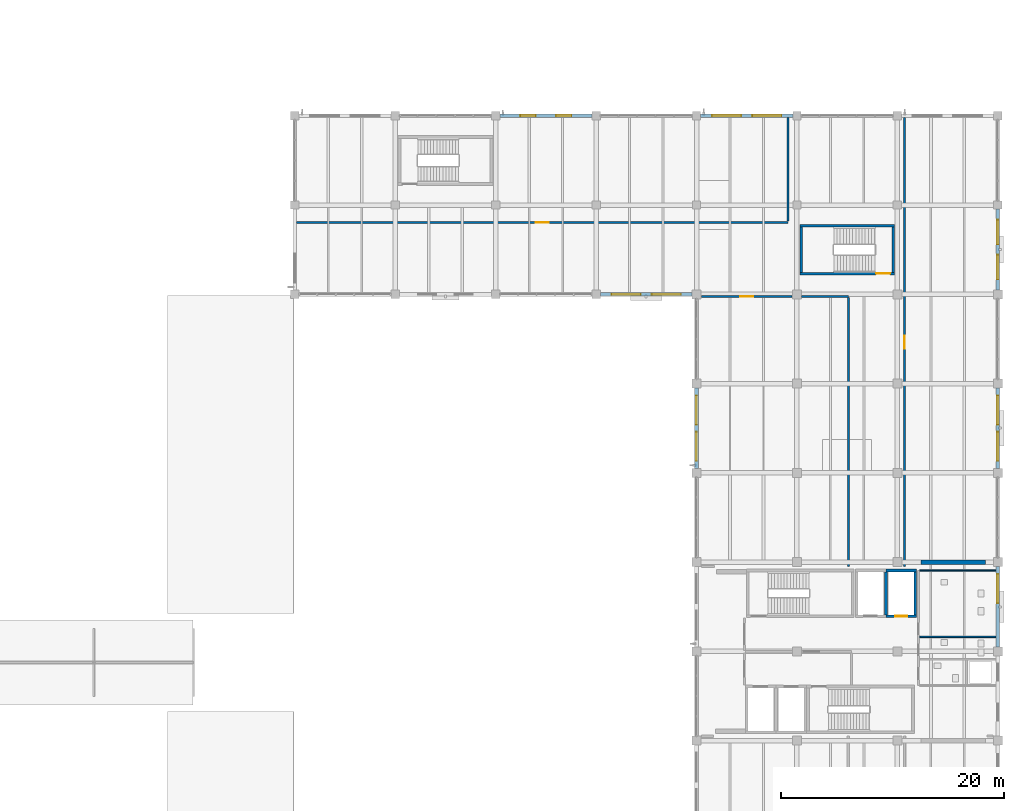
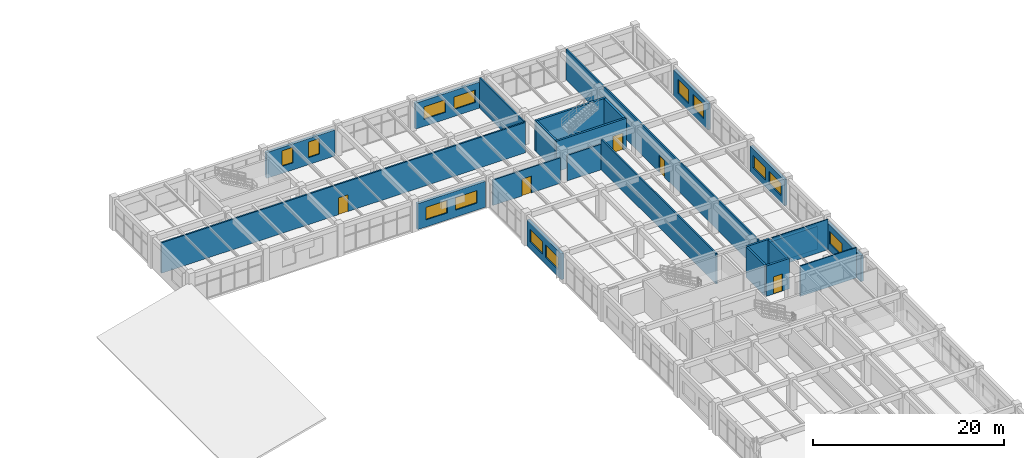
# One storey, part 130 of 148: 24 walls, 13 windows, 5 doors, 18 openings.
"""IFC4 building model written with IfcOpenShell, lengths in metres."""

from ifc_helpers import new_model, si_unit, derived_unit, direction, frame, frame_2d, origin, place, context, subcontext, project, spatial, rectangle, extrude, material, layer, layer_set, type_object, element, fill, save


model = new_model("IFC4")

# Units and contexts
model_context = context("Model", 3, precision=1e-05, world=origin(), true_north=direction((0.0, 1.0)))
body_context = subcontext(model_context, "Body", "Model", "MODEL_VIEW")
ifc_project = project(units=[si_unit("LENGTHUNIT", "METRE"), si_unit("AREAUNIT", "SQUARE_METRE"), si_unit("VOLUMEUNIT", "CUBIC_METRE"), si_unit("PLANEANGLEUNIT", "RADIAN"), si_unit("MASSUNIT", "GRAM", prefix="KILO"), derived_unit("THERMALTRANSMITTANCEUNIT", [(si_unit("MASSUNIT", "GRAM", prefix="KILO"), 1), (si_unit("TIMEUNIT", "SECOND"), -3), (si_unit("THERMODYNAMICTEMPERATUREUNIT", "KELVIN"), -1)])], contexts=[model_context])

# Site, building, storey
site_placement = place(None, origin())
site = spatial("IfcSite", under=ifc_project, at=site_placement, CompositionType="ELEMENT")
building_placement = place(site_placement, origin())
building = spatial("IfcBuilding", under=site, at=building_placement, Name="Zhenchuan Archway Interchange", CompositionType="ELEMENT")
storey_placement = place(building_placement, frame((0.0, 0.0, 10.199951171875)))
storey = spatial("IfcBuildingStorey", under=building, at=storey_placement, Name="L02", CompositionType="ELEMENT", Elevation=10.199951171875)

# Wall, openings, windows
ifc_material_1 = material(Name="Granite Stone Cladding", Category="masonry")
ifc_layer_1 = layer(ifc_material_1, 0.320068359375)
ifc_layer_set_1 = layer_set([ifc_layer_1], Name="Granite Stone Cladding")
wall_type_1 = type_object("IfcWallType", Name="EW_GRANITE_320", PredefinedType="STANDARD", material=ifc_layer_set_1)
wall_1_placement = place(storey_placement, frame((144.0, 72.39794921875, 0.0), z_axis=(0.0, 0.0, 1.0), x_axis=(0.0, 1.0, 0.0)))
wall_1 = element("IfcWall", 1, at=wall_1_placement, inside=storey, type_object=wall_type_1, Name="Exterior wall L02-071", PredefinedType="STANDARD", context=body_context, shape_type="SweptSolid", body=[
    extrude(rectangle(XDim=7.2041015625, YDim=0.320068359375, at=frame_2d((3.60205078125, 0.0))), origin(), (0.0, 0.0, 1.0), 3.320068359375),
])
opening_1_placement = place(wall_1_placement, frame((0.66796875, 0.0, 0.89990234375)))
opening_1 = element("IfcOpeningElement", 2, at=opening_1_placement, cuts=wall_1, Name="Opening W-09", PredefinedType="OPENING", context=body_context, shape_type="SweptSolid", body=[
    extrude(rectangle(XDim=2.60009765625, YDim=1.60009765625, at=frame_2d((1.300048828125, 0.800048828125))), frame((0.0, 0.171875, 0.0), z_axis=(0.0, -1.0, 0.0), x_axis=(1.0, 0.0, 0.0)), (0.0, 0.0, 1.0), 0.343994140625),
])
opening_2_placement = place(wall_1_placement, frame((3.93603515625, 0.0, 0.89990234375)))
opening_2 = element("IfcOpeningElement", 3, at=opening_2_placement, cuts=wall_1, Name="Opening W-09", PredefinedType="OPENING", context=body_context, shape_type="SweptSolid", body=[
    extrude(rectangle(XDim=2.60009765625, YDim=1.60009765625, at=frame_2d((1.300048828125, 0.800048828125))), frame((0.0, 0.171875, 0.0), z_axis=(0.0, -1.0, 0.0), x_axis=(1.0, 0.0, 0.0)), (0.0, 0.0, 1.0), 0.343994140625),
])
ifc_material_2 = material(Name="Double Low-E Insulated Glazing", Category="glass")
window_type_1 = type_object("IfcWindowType", Name="WN_MOD_2600x1600", PartitioningType="SINGLE_PANEL", PredefinedType="WINDOW", material=ifc_material_2)
window_1_placement = place(opening_1_placement, origin())
window_1 = element("IfcWindow", 4, at=window_1_placement, inside=storey, type_object=window_type_1, Name="Window L02-0218", OverallHeight=1.60009765625, OverallWidth=2.60009765625, PartitioningType="SINGLE_PANEL", PredefinedType="WINDOW", context=body_context, shape_type="SweptSolid", body=[
    extrude(rectangle(XDim=2.60009765625, YDim=1.60009765625, at=frame_2d((1.300048828125, 0.800048828125))), frame((0.0, 0.030029296875, 0.0), z_axis=(0.0, -1.0, 0.0), x_axis=(1.0, 0.0, 0.0)), (0.0, 0.0, 1.0), 0.06005859375),
])
fill(opening_1, window_1)
window_2_placement = place(opening_2_placement, origin())
window_2 = element("IfcWindow", 5, at=window_2_placement, inside=storey, type_object=window_type_1, Name="Window L02-0219", OverallHeight=1.60009765625, OverallWidth=2.60009765625, PartitioningType="SINGLE_PANEL", PredefinedType="WINDOW", context=body_context, shape_type="SweptSolid", body=[
    extrude(rectangle(XDim=2.60009765625, YDim=1.60009765625, at=frame_2d((1.300048828125, 0.800048828125))), frame((0.0, 0.030029296875, 0.0), z_axis=(0.0, -1.0, 0.0), x_axis=(1.0, 0.0, 0.0)), (0.0, 0.0, 1.0), 0.06005859375),
])
fill(opening_2, window_2)

wall_2_placement = place(storey_placement, frame((143.60205078125, 88.0, 0.0), z_axis=(0.0, 0.0, 1.0), x_axis=(-1.0, 0.0, 0.0)))
wall_2 = element("IfcWall", 6, at=wall_2_placement, inside=storey, type_object=wall_type_1, Name="Exterior wall L02-073", PredefinedType="STANDARD", context=body_context, shape_type="SweptSolid", body=[
    extrude(rectangle(XDim=8.22900390625, YDim=0.320068359375, at=frame_2d((4.114501953125, 0.0))), origin(), (0.0, 0.0, 1.0), 3.320068359375),
])
opening_3_placement = place(wall_2_placement, frame((1.009765625, 0.0, 0.89990234375)))
opening_3 = element("IfcOpeningElement", 7, at=opening_3_placement, cuts=wall_2, Name="Opening W-09", PredefinedType="OPENING", context=body_context, shape_type="SweptSolid", body=[
    extrude(rectangle(XDim=2.60009765625, YDim=1.60009765625, at=frame_2d((1.300048828125, 0.800048828125))), frame((0.0, 0.171875, 0.0), z_axis=(0.0, -1.0, 0.0), x_axis=(1.0, 0.0, 0.0)), (0.0, 0.0, 1.0), 0.343994140625),
])
opening_4_placement = place(wall_2_placement, frame((4.619384765625, 0.0, 0.89990234375)))
opening_4 = element("IfcOpeningElement", 8, at=opening_4_placement, cuts=wall_2, Name="Opening W-09", PredefinedType="OPENING", context=body_context, shape_type="SweptSolid", body=[
    extrude(rectangle(XDim=2.60009765625, YDim=1.60009765625, at=frame_2d((1.300048828125, 0.800048828125))), frame((0.0, 0.171875, 0.0), z_axis=(0.0, -1.0, 0.0), x_axis=(1.0, 0.0, 0.0)), (0.0, 0.0, 1.0), 0.343994140625),
])
window_3_placement = place(opening_3_placement, origin())
window_3 = element("IfcWindow", 9, at=window_3_placement, inside=storey, type_object=window_type_1, Name="Window L02-0220", OverallHeight=1.60009765625, OverallWidth=2.60009765625, PartitioningType="SINGLE_PANEL", PredefinedType="WINDOW", context=body_context, shape_type="SweptSolid", body=[
    extrude(rectangle(XDim=2.60009765625, YDim=1.60009765625, at=frame_2d((1.300048828125, 0.800048828125))), frame((0.0, 0.030029296875, 0.0), z_axis=(0.0, -1.0, 0.0), x_axis=(1.0, 0.0, 0.0)), (0.0, 0.0, 1.0), 0.06005859375),
])
fill(opening_3, window_3)
window_4_placement = place(opening_4_placement, origin())
window_4 = element("IfcWindow", 10, at=window_4_placement, inside=storey, type_object=window_type_1, Name="Window L02-0221", OverallHeight=1.60009765625, OverallWidth=2.60009765625, PartitioningType="SINGLE_PANEL", PredefinedType="WINDOW", context=body_context, shape_type="SweptSolid", body=[
    extrude(rectangle(XDim=2.60009765625, YDim=1.60009765625, at=frame_2d((1.300048828125, 0.800048828125))), frame((0.0, 0.030029296875, 0.0), z_axis=(0.0, -1.0, 0.0), x_axis=(1.0, 0.0, 0.0)), (0.0, 0.0, 1.0), 0.06005859375),
])
fill(opening_4, window_4)

wall_3_placement = place(storey_placement, frame((126.373046875, 104.0, 0.0), z_axis=(0.0, 0.0, 1.0), x_axis=(1.0, 0.0, 0.0)))
wall_3 = element("IfcWall", 11, at=wall_3_placement, inside=storey, type_object=wall_type_1, Name="Exterior wall L02-081", PredefinedType="STANDARD", context=body_context, shape_type="SweptSolid", body=[
    extrude(rectangle(XDim=8.25390625, YDim=0.320068359375, at=frame_2d((4.126953125, 0.0))), origin(), (0.0, 0.0, 1.0), 3.320068359375),
])
opening_5_placement = place(wall_3_placement, frame((1.851318359375, 0.0, 0.89990234375)))
opening_5 = element("IfcOpeningElement", 12, at=opening_5_placement, cuts=wall_3, Name="Opening W-06", PredefinedType="OPENING", context=body_context, shape_type="SweptSolid", body=[
    extrude(rectangle(XDim=1.35009765625, YDim=2.0, at=frame_2d((0.675048828125, 1.0))), frame((0.0, 0.171875, 0.0), z_axis=(0.0, -1.0, 0.0), x_axis=(1.0, 0.0, 0.0)), (0.0, 0.0, 1.0), 0.343994140625),
])
opening_6_placement = place(wall_3_placement, frame((5.052734375, 0.0, 0.89990234375)))
opening_6 = element("IfcOpeningElement", 13, at=opening_6_placement, cuts=wall_3, Name="Opening W-06", PredefinedType="OPENING", context=body_context, shape_type="SweptSolid", body=[
    extrude(rectangle(XDim=1.35009765625, YDim=2.0, at=frame_2d((0.675048828125, 1.0))), frame((0.0, 0.171875, 0.0), z_axis=(0.0, -1.0, 0.0), x_axis=(1.0, 0.0, 0.0)), (0.0, 0.0, 1.0), 0.343994140625),
])
window_type_2 = type_object("IfcWindowType", Name="WN_MOD_1350x2000", PartitioningType="SINGLE_PANEL", PredefinedType="WINDOW", material=ifc_material_2)
window_5_placement = place(opening_5_placement, origin())
window_5 = element("IfcWindow", 14, at=window_5_placement, inside=storey, type_object=window_type_2, Name="Window L02-0227", OverallHeight=2.0, OverallWidth=1.35009765625, PartitioningType="SINGLE_PANEL", PredefinedType="WINDOW", context=body_context, shape_type="SweptSolid", body=[
    extrude(rectangle(XDim=1.35009765625, YDim=2.0, at=frame_2d((0.675048828125, 1.0))), frame((0.0, 0.030029296875, 0.0), z_axis=(0.0, -1.0, 0.0), x_axis=(1.0, 0.0, 0.0)), (0.0, 0.0, 1.0), 0.06005859375),
])
fill(opening_5, window_5)
window_6_placement = place(opening_6_placement, origin())
window_6 = element("IfcWindow", 15, at=window_6_placement, inside=storey, type_object=window_type_2, Name="Window L02-0228", OverallHeight=2.0, OverallWidth=1.35009765625, PartitioningType="SINGLE_PANEL", PredefinedType="WINDOW", context=body_context, shape_type="SweptSolid", body=[
    extrude(rectangle(XDim=1.35009765625, YDim=2.0, at=frame_2d((0.675048828125, 1.0))), frame((0.0, 0.030029296875, 0.0), z_axis=(0.0, -1.0, 0.0), x_axis=(1.0, 0.0, 0.0)), (0.0, 0.0, 1.0), 0.06005859375),
])
fill(opening_6, window_6)

wall_4_placement = place(storey_placement, frame((144.373046875, 104.0, 0.0), z_axis=(0.0, 0.0, 1.0), x_axis=(1.0, 0.0, 0.0)))
wall_4 = element("IfcWall", 16, at=wall_4_placement, inside=storey, type_object=wall_type_1, Name="Exterior wall L02-083", PredefinedType="STANDARD", context=body_context, shape_type="SweptSolid", body=[
    extrude(rectangle(XDim=8.25390625, YDim=0.320068359375, at=frame_2d((4.126953125, 0.0))), origin(), (0.0, 0.0, 1.0), 3.320068359375),
])
opening_7_placement = place(wall_4_placement, frame((1.01806640625, 0.0, 0.89990234375)))
opening_7 = element("IfcOpeningElement", 17, at=opening_7_placement, cuts=wall_4, Name="Opening W-09", PredefinedType="OPENING", context=body_context, shape_type="SweptSolid", body=[
    extrude(rectangle(XDim=2.60009765625, YDim=1.60009765625, at=frame_2d((1.300048828125, 0.800048828125))), frame((0.0, 0.171875, 0.0), z_axis=(0.0, -1.0, 0.0), x_axis=(1.0, 0.0, 0.0)), (0.0, 0.0, 1.0), 0.343994140625),
])
opening_8_placement = place(wall_4_placement, frame((4.635986328125, 0.0, 0.89990234375)))
opening_8 = element("IfcOpeningElement", 18, at=opening_8_placement, cuts=wall_4, Name="Opening W-09", PredefinedType="OPENING", context=body_context, shape_type="SweptSolid", body=[
    extrude(rectangle(XDim=2.60009765625, YDim=1.60009765625, at=frame_2d((1.300048828125, 0.800048828125))), frame((0.0, 0.171875, 0.0), z_axis=(0.0, -1.0, 0.0), x_axis=(1.0, 0.0, 0.0)), (0.0, 0.0, 1.0), 0.343994140625),
])
window_7_placement = place(opening_7_placement, origin())
window_7 = element("IfcWindow", 19, at=window_7_placement, inside=storey, type_object=window_type_1, Name="Window L02-0229", OverallHeight=1.60009765625, OverallWidth=2.60009765625, PartitioningType="SINGLE_PANEL", PredefinedType="WINDOW", context=body_context, shape_type="SweptSolid", body=[
    extrude(rectangle(XDim=2.60009765625, YDim=1.60009765625, at=frame_2d((1.300048828125, 0.800048828125))), frame((0.0, 0.030029296875, 0.0), z_axis=(0.0, -1.0, 0.0), x_axis=(1.0, 0.0, 0.0)), (0.0, 0.0, 1.0), 0.06005859375),
])
fill(opening_7, window_7)
window_8_placement = place(opening_8_placement, origin())
window_8 = element("IfcWindow", 20, at=window_8_placement, inside=storey, type_object=window_type_1, Name="Window L02-0230", OverallHeight=1.60009765625, OverallWidth=2.60009765625, PartitioningType="SINGLE_PANEL", PredefinedType="WINDOW", context=body_context, shape_type="SweptSolid", body=[
    extrude(rectangle(XDim=2.60009765625, YDim=1.60009765625, at=frame_2d((1.300048828125, 0.800048828125))), frame((0.0, 0.030029296875, 0.0), z_axis=(0.0, -1.0, 0.0), x_axis=(1.0, 0.0, 0.0)), (0.0, 0.0, 1.0), 0.06005859375),
])
fill(opening_8, window_8)

wall_5_placement = place(storey_placement, frame((171.0, 95.626953125, 0.0), z_axis=(0.0, 0.0, 1.0), x_axis=(0.0, -1.0, 0.0)))
wall_5 = element("IfcWall", 21, at=wall_5_placement, inside=storey, type_object=wall_type_1, Name="Exterior wall L02-087", PredefinedType="STANDARD", context=body_context, shape_type="SweptSolid", body=[
    extrude(rectangle(XDim=7.22900390625, YDim=0.320068359375, at=frame_2d((3.614501953125, 0.0))), origin(), (0.0, 0.0, 1.0), 3.320068359375),
])
opening_9_placement = place(wall_5_placement, frame((0.943115234375, 0.0, 0.89990234375)))
opening_9 = element("IfcOpeningElement", 22, at=opening_9_placement, cuts=wall_5, Name="Opening W-08", PredefinedType="OPENING", context=body_context, shape_type="SweptSolid", body=[
    extrude(rectangle(XDim=2.199951171875, YDim=1.800048828125, at=frame_2d((1.10009765625, 0.89990234375))), frame((0.0, 0.171875, 0.0), z_axis=(0.0, -1.0, 0.0), x_axis=(1.0, 0.0, 0.0)), (0.0, 0.0, 1.0), 0.343994140625),
])
opening_10_placement = place(wall_5_placement, frame((4.0859375, 0.0, 0.89990234375)))
opening_10 = element("IfcOpeningElement", 23, at=opening_10_placement, cuts=wall_5, Name="Opening W-08", PredefinedType="OPENING", context=body_context, shape_type="SweptSolid", body=[
    extrude(rectangle(XDim=2.199951171875, YDim=1.800048828125, at=frame_2d((1.10009765625, 0.89990234375))), frame((0.0, 0.171875, 0.0), z_axis=(0.0, -1.0, 0.0), x_axis=(1.0, 0.0, 0.0)), (0.0, 0.0, 1.0), 0.343994140625),
])
window_type_3 = type_object("IfcWindowType", Name="WN_MOD_2200x1800", PartitioningType="SINGLE_PANEL", PredefinedType="WINDOW", material=ifc_material_2)
window_9_placement = place(opening_9_placement, origin())
window_9 = element("IfcWindow", 24, at=window_9_placement, inside=storey, type_object=window_type_3, Name="Window L02-0233", OverallHeight=1.800048828125, OverallWidth=2.199951171875, PartitioningType="SINGLE_PANEL", PredefinedType="WINDOW", context=body_context, shape_type="SweptSolid", body=[
    extrude(rectangle(XDim=2.199951171875, YDim=1.800048828125, at=frame_2d((1.10009765625, 0.89990234375))), frame((0.0, 0.030029296875, 0.0), z_axis=(0.0, -1.0, 0.0), x_axis=(1.0, 0.0, 0.0)), (0.0, 0.0, 1.0), 0.06005859375),
])
fill(opening_9, window_9)
window_10_placement = place(opening_10_placement, origin())
window_10 = element("IfcWindow", 25, at=window_10_placement, inside=storey, type_object=window_type_3, Name="Window L02-0234", OverallHeight=1.800048828125, OverallWidth=2.199951171875, PartitioningType="SINGLE_PANEL", PredefinedType="WINDOW", context=body_context, shape_type="SweptSolid", body=[
    extrude(rectangle(XDim=2.199951171875, YDim=1.800048828125, at=frame_2d((1.10009765625, 0.89990234375))), frame((0.0, 0.030029296875, 0.0), z_axis=(0.0, -1.0, 0.0), x_axis=(1.0, 0.0, 0.0)), (0.0, 0.0, 1.0), 0.06005859375),
])
fill(opening_10, window_10)

wall_6_placement = place(storey_placement, frame((171.0, 79.60205078125, 0.0), z_axis=(0.0, 0.0, 1.0), x_axis=(0.0, -1.0, 0.0)))
wall_6 = element("IfcWall", 26, at=wall_6_placement, inside=storey, type_object=wall_type_1, Name="Exterior wall L02-089", PredefinedType="STANDARD", context=body_context, shape_type="SweptSolid", body=[
    extrude(rectangle(XDim=7.2041015625, YDim=0.320068359375, at=frame_2d((3.60205078125, 0.0))), origin(), (0.0, 0.0, 1.0), 3.320068359375),
])
opening_11_placement = place(wall_6_placement, frame((0.66796875, 0.0, 0.89990234375)))
opening_11 = element("IfcOpeningElement", 27, at=opening_11_placement, cuts=wall_6, Name="Opening W-09", PredefinedType="OPENING", context=body_context, shape_type="SweptSolid", body=[
    extrude(rectangle(XDim=2.60009765625, YDim=1.60009765625, at=frame_2d((1.300048828125, 0.800048828125))), frame((0.0, 0.171875, 0.0), z_axis=(0.0, -1.0, 0.0), x_axis=(1.0, 0.0, 0.0)), (0.0, 0.0, 1.0), 0.343994140625),
])
opening_12_placement = place(wall_6_placement, frame((3.93603515625, 0.0, 0.89990234375)))
opening_12 = element("IfcOpeningElement", 28, at=opening_12_placement, cuts=wall_6, Name="Opening W-09", PredefinedType="OPENING", context=body_context, shape_type="SweptSolid", body=[
    extrude(rectangle(XDim=2.60009765625, YDim=1.60009765625, at=frame_2d((1.300048828125, 0.800048828125))), frame((0.0, 0.171875, 0.0), z_axis=(0.0, -1.0, 0.0), x_axis=(1.0, 0.0, 0.0)), (0.0, 0.0, 1.0), 0.343994140625),
])
window_11_placement = place(opening_11_placement, origin())
window_11 = element("IfcWindow", 29, at=window_11_placement, inside=storey, type_object=window_type_1, Name="Window L02-0235", OverallHeight=1.60009765625, OverallWidth=2.60009765625, PartitioningType="SINGLE_PANEL", PredefinedType="WINDOW", context=body_context, shape_type="SweptSolid", body=[
    extrude(rectangle(XDim=2.60009765625, YDim=1.60009765625, at=frame_2d((1.300048828125, 0.800048828125))), frame((0.0, 0.030029296875, 0.0), z_axis=(0.0, -1.0, 0.0), x_axis=(1.0, 0.0, 0.0)), (0.0, 0.0, 1.0), 0.06005859375),
])
fill(opening_11, window_11)
window_12_placement = place(opening_12_placement, origin())
window_12 = element("IfcWindow", 30, at=window_12_placement, inside=storey, type_object=window_type_1, Name="Window L02-0236", OverallHeight=1.60009765625, OverallWidth=2.60009765625, PartitioningType="SINGLE_PANEL", PredefinedType="WINDOW", context=body_context, shape_type="SweptSolid", body=[
    extrude(rectangle(XDim=2.60009765625, YDim=1.60009765625, at=frame_2d((1.300048828125, 0.800048828125))), frame((0.0, 0.030029296875, 0.0), z_axis=(0.0, -1.0, 0.0), x_axis=(1.0, 0.0, 0.0)), (0.0, 0.0, 1.0), 0.06005859375),
])
fill(opening_12, window_12)

# Wall, opening, window
wall_7_placement = place(storey_placement, frame((171.0, 63.60205078125, 0.0), z_axis=(0.0, 0.0, 1.0), x_axis=(0.0, -1.0, 0.0)))
wall_7 = element("IfcWall", 31, at=wall_7_placement, inside=storey, type_object=wall_type_1, Name="Exterior wall L02-091", PredefinedType="STANDARD", context=body_context, shape_type="SweptSolid", body=[
    extrude(rectangle(XDim=7.2041015625, YDim=0.320068359375, at=frame_2d((3.60205078125, 0.0))), origin(), (0.0, 0.0, 1.0), 3.320068359375),
])
opening_13_placement = place(wall_7_placement, frame((0.66796875, 0.0, 0.89990234375)))
opening_13 = element("IfcOpeningElement", 32, at=opening_13_placement, cuts=wall_7, Name="Opening W-09", PredefinedType="OPENING", context=body_context, shape_type="SweptSolid", body=[
    extrude(rectangle(XDim=2.60009765625, YDim=1.60009765625, at=frame_2d((1.300048828125, 0.800048828125))), frame((0.0, 0.171875, 0.0), z_axis=(0.0, -1.0, 0.0), x_axis=(1.0, 0.0, 0.0)), (0.0, 0.0, 1.0), 0.343994140625),
])
window_13_placement = place(opening_13_placement, origin())
window_13 = element("IfcWindow", 33, at=window_13_placement, inside=storey, type_object=window_type_1, Name="Window L02-0237", OverallHeight=1.60009765625, OverallWidth=2.60009765625, PartitioningType="SINGLE_PANEL", PredefinedType="WINDOW", context=body_context, shape_type="SweptSolid", body=[
    extrude(rectangle(XDim=2.60009765625, YDim=1.60009765625, at=frame_2d((1.300048828125, 0.800048828125))), frame((0.0, 0.030029296875, 0.0), z_axis=(0.0, -1.0, 0.0), x_axis=(1.0, 0.0, 0.0)), (0.0, 0.0, 1.0), 0.06005859375),
])
fill(opening_13, window_13)

# Walls
ifc_material_3 = material(Name="Concrete C50", Category="concrete")
ifc_layer_2 = layer(ifc_material_3, 0.3798828125)
ifc_layer_set_2 = layer_set([ifc_layer_2], Name="Concrete C50")
wall_type_2 = type_object("IfcWallType", Name="WL_CORE_380", PredefinedType="SHEAR", material=ifc_layer_set_2)
wall_8_placement = place(storey_placement, frame((164.10009765625, 64.0, 0.0), z_axis=(0.0, 0.0, 1.0), x_axis=(1.0, 0.0, 0.0)))
element("IfcWall", 34, at=wall_8_placement, inside=storey, type_object=wall_type_2, Name="Operations lateral shear wall E-N (L02)", PredefinedType="SHEAR", context=body_context, shape_type="SweptSolid", body=[
    extrude(rectangle(XDim=5.7998046875, YDim=0.3798828125, at=frame_2d((2.89990234375, 0.0))), origin(), (0.0, 0.0, 1.0), 2.93994140625),
])
ifc_material_4 = material(Name="Concrete C40", Category="concrete")
ifc_layer_3 = layer(ifc_material_4, 0.239990234375)
ifc_layer_set_3 = layer_set([ifc_layer_3], Name="Concrete C40")
wall_type_3 = type_object("IfcWallType", Name="WL_LIFT_240", PredefinedType="SHEAR", material=ifc_layer_set_3)
wall_9_placement = place(storey_placement, frame((160.97509765625, 59.27001953125, 0.0), z_axis=(0.0, 0.0, 1.0), x_axis=(0.0, 1.0, 0.0)))
element("IfcWall", 35, at=wall_9_placement, inside=storey, type_object=wall_type_3, Name="Lift LF-06 east shaft wall (L02)", PredefinedType="SHEAR", context=body_context, shape_type="SweptSolid", body=[
    extrude(rectangle(XDim=3.85986328125, YDim=0.239990234375, at=frame_2d((1.929931640625, 0.0))), origin(), (0.0, 0.0, 1.0), 3.89013671875),
])

# Wall, opening, door
wall_10_placement = place(storey_placement, frame((160.97509765625, 59.14990234375, 0.0), z_axis=(0.0, 0.0, 1.0), x_axis=(1.0, 0.0, 0.0)))
wall_10 = element("IfcWall", 36, at=wall_10_placement, inside=storey, type_object=wall_type_3, Name="Lift LF-07 south shaft wall (L02)", PredefinedType="SHEAR", context=body_context, shape_type="SweptSolid", body=[
    extrude(rectangle(XDim=2.744873046875, YDim=0.239990234375, at=frame_2d((1.37255859375, 0.0))), origin(), (0.0, 0.0, 1.0), 3.89013671875),
])
opening_14_placement = place(wall_10_placement, frame((0.824951171875, 0.0, 0.0)))
opening_14 = element("IfcOpeningElement", 37, at=opening_14_placement, cuts=wall_10, Name="Opening LD-01", PredefinedType="OPENING", context=body_context, shape_type="SweptSolid", body=[
    extrude(rectangle(XDim=1.10009765625, YDim=2.199951171875, at=frame_2d((0.550048828125, 1.10009765625))), frame((0.0, 0.1318359375, 0.0), z_axis=(0.0, -1.0, 0.0), x_axis=(1.0, 0.0, 0.0)), (0.0, 0.0, 1.0), 0.263916015625),
])
ifc_material_5 = material(Name="Stainless Steel 304", Category="steel")
door_type_1 = type_object("IfcDoorType", Name="DR_LIFT_LD110", OperationType="DOUBLE_DOOR_SLIDING", PredefinedType="DOOR", material=ifc_material_5)
door_1_placement = place(opening_14_placement, origin())
door_1 = element("IfcDoor", 38, at=door_1_placement, inside=storey, type_object=door_type_1, Name="Lift LF-07 landing door (L02)", OperationType="DOUBLE_DOOR_SLIDING", OverallHeight=2.199951171875, OverallWidth=1.10009765625, PredefinedType="DOOR", context=body_context, shape_type="SweptSolid", body=[
    extrude(rectangle(XDim=1.10009765625, YDim=2.199951171875, at=frame_2d((0.550048828125, 1.10009765625))), frame((0.0, 0.02490234375, 0.0), z_axis=(0.0, -1.0, 0.0), x_axis=(1.0, 0.0, 0.0)), (0.0, 0.0, 1.0), 0.050048828125),
])
fill(opening_14, door_1)

# Walls
wall_11_placement = place(storey_placement, frame((163.719970703125, 63.25, 0.0), z_axis=(0.0, 0.0, 1.0), x_axis=(-1.0, 0.0, 0.0)))
element("IfcWall", 39, at=wall_11_placement, inside=storey, type_object=wall_type_3, Name="Lift LF-07 north shaft wall (L02)", PredefinedType="SHEAR", context=body_context, shape_type="SweptSolid", body=[
    extrude(rectangle(XDim=2.744873046875, YDim=0.239990234375, at=frame_2d((1.37255859375, 0.0))), origin(), (0.0, 0.0, 1.0), 3.89013671875),
])
wall_12_placement = place(storey_placement, frame((163.60009765625, 59.27001953125, 0.0), z_axis=(0.0, 0.0, 1.0), x_axis=(0.0, 1.0, 0.0)))
element("IfcWall", 40, at=wall_12_placement, inside=storey, type_object=wall_type_3, Name="Lift LF-07 east shaft wall (L02)", PredefinedType="SHEAR", context=body_context, shape_type="SweptSolid", body=[
    extrude(rectangle(XDim=3.85986328125, YDim=0.239990234375, at=frame_2d((1.929931640625, 0.0))), origin(), (0.0, 0.0, 1.0), 3.89013671875),
])

# Wall, opening, door
ifc_material_6 = material(Name="Concrete Block Masonry", Category="masonry")
ifc_layer_4 = layer(ifc_material_6, 0.179931640625)
ifc_layer_set_4 = layer_set([ifc_layer_4], Name="Concrete Block Masonry")
wall_type_4 = type_object("IfcWallType", Name="WL_PART_180", PredefinedType="STANDARD", material=ifc_layer_set_4)
wall_13_placement = place(storey_placement, frame((108.175048828125, 94.449951171875, 0.0), z_axis=(0.0, 0.0, 1.0), x_axis=(1.0, 0.0, 0.0)))
wall_13 = element("IfcWall", 41, at=wall_13_placement, inside=storey, type_object=wall_type_4, Name="Operations Training and Lecture Hall S partition (L02)", PredefinedType="STANDARD", context=body_context, shape_type="SweptSolid", body=[
    extrude(rectangle(XDim=44.02490234375, YDim=0.179931640625, at=frame_2d((22.012451171875, 0.0))), origin(), (0.0, 0.0, 1.0), 3.89013671875),
])
opening_15_placement = place(wall_13_placement, frame((21.425048828125, 0.0, 0.0)))
opening_15 = element("IfcOpeningElement", 42, at=opening_15_placement, cuts=wall_13, Name="Opening ID-06", PredefinedType="OPENING", context=body_context, shape_type="SweptSolid", body=[
    extrude(rectangle(XDim=1.14990234375, YDim=2.14990234375, at=frame_2d((0.574951171875, 1.074951171875))), frame((0.0, 0.10205078125, 0.0), z_axis=(0.0, -1.0, 0.0), x_axis=(1.0, 0.0, 0.0)), (0.0, 0.0, 1.0), 0.203857421875),
])
ifc_material_7 = material(Name="Hardwood Timber", Category="wood")
door_type_2 = type_object("IfcDoorType", Name="DR_CTRL_115", OperationType="NOTDEFINED", PredefinedType="DOOR", material=ifc_material_7)
door_2_placement = place(opening_15_placement, origin())
door_2 = element("IfcDoor", 43, at=door_2_placement, inside=storey, type_object=door_type_2, Name="Operations Training and Lecture Hall door (L02)", OperationType="SINGLE_SWING_RIGHT", OverallHeight=2.14990234375, OverallWidth=1.14990234375, PredefinedType="DOOR", context=body_context, shape_type="SweptSolid", body=[
    extrude(rectangle(XDim=1.14990234375, YDim=2.14990234375, at=frame_2d((0.574951171875, 1.074951171875))), frame((0.0, 0.02490234375, 0.0), z_axis=(0.0, -1.0, 0.0), x_axis=(1.0, 0.0, 0.0)), (0.0, 0.0, 1.0), 0.050048828125),
])
fill(opening_15, door_2)

# Wall
wall_14_placement = place(storey_placement, frame((152.199951171875, 94.550048828125, 0.0), z_axis=(0.0, 0.0, 1.0), x_axis=(0.0, 1.0, 0.0)))
element("IfcWall", 44, at=wall_14_placement, inside=storey, type_object=wall_type_4, Name="Operations Training and Lecture Hall E partition (L02)", PredefinedType="STANDARD", context=body_context, shape_type="SweptSolid", body=[
    extrude(rectangle(XDim=9.27490234375, YDim=0.179931640625, at=frame_2d((4.637451171875, 0.0))), origin(), (0.0, 0.0, 1.0), 3.89013671875),
])

# Wall, opening, door
wall_15_placement = place(storey_placement, frame((162.64990234375, 63.60009765625, 0.0), z_axis=(0.0, 0.0, 1.0), x_axis=(0.0, 1.0, 0.0)))
wall_15 = element("IfcWall", 45, at=wall_15_placement, inside=storey, type_object=wall_type_4, Name="Passenger Information Broadcast Studio W partition (L02)", PredefinedType="STANDARD", context=body_context, shape_type="SweptSolid", body=[
    extrude(rectangle(XDim=40.224853515625, YDim=0.179931640625, at=frame_2d((20.1123046875, 0.0))), origin(), (0.0, 0.0, 1.0), 3.89013671875),
])
opening_16_placement = place(wall_15_placement, frame((19.52490234375, 0.0, 0.0)))
opening_16 = element("IfcOpeningElement", 46, at=opening_16_placement, cuts=wall_15, Name="Opening ID-06", PredefinedType="OPENING", context=body_context, shape_type="SweptSolid", body=[
    extrude(rectangle(XDim=1.14990234375, YDim=2.14990234375, at=frame_2d((0.574951171875, 1.074951171875))), frame((0.0, 0.10205078125, 0.0), z_axis=(0.0, -1.0, 0.0), x_axis=(1.0, 0.0, 0.0)), (0.0, 0.0, 1.0), 0.203857421875),
])
door_3_placement = place(opening_16_placement, origin())
door_3 = element("IfcDoor", 47, at=door_3_placement, inside=storey, type_object=door_type_2, Name="Passenger Information Broadcast Studio door (L02)", OperationType="SINGLE_SWING_RIGHT", OverallHeight=2.14990234375, OverallWidth=1.14990234375, PredefinedType="DOOR", context=body_context, shape_type="SweptSolid", body=[
    extrude(rectangle(XDim=1.14990234375, YDim=2.14990234375, at=frame_2d((0.574951171875, 1.074951171875))), frame((0.0, 0.02490234375, 0.0), z_axis=(0.0, -1.0, 0.0), x_axis=(1.0, 0.0, 0.0)), (0.0, 0.0, 1.0), 0.050048828125),
])
fill(opening_16, door_3)

wall_16_placement = place(storey_placement, frame((144.425048828125, 87.800048828125, 0.0), z_axis=(0.0, 0.0, 1.0), x_axis=(1.0, 0.0, 0.0)))
wall_16 = element("IfcWall", 48, at=wall_16_placement, inside=storey, type_object=wall_type_4, Name="Fare Gate Bench Calibration Workshop N partition (L02)", PredefinedType="STANDARD", context=body_context, shape_type="SweptSolid", body=[
    extrude(rectangle(XDim=8.14990234375, YDim=0.179931640625, at=frame_2d((4.074951171875, 0.0))), origin(), (0.0, 0.0, 1.0), 3.27001953125),
])
opening_17_placement = place(wall_16_placement, frame((3.5, 0.0, 0.0)))
opening_17 = element("IfcOpeningElement", 49, at=opening_17_placement, cuts=wall_16, Name="Opening ID-06", PredefinedType="OPENING", context=body_context, shape_type="SweptSolid", body=[
    extrude(rectangle(XDim=1.14990234375, YDim=2.14990234375, at=frame_2d((0.574951171875, 1.074951171875))), frame((0.0, 0.10205078125, 0.0), z_axis=(0.0, -1.0, 0.0), x_axis=(1.0, 0.0, 0.0)), (0.0, 0.0, 1.0), 0.203857421875),
])
door_4_placement = place(opening_17_placement, origin())
door_4 = element("IfcDoor", 50, at=door_4_placement, inside=storey, type_object=door_type_2, Name="Fare Gate Bench Calibration Workshop door (L02)", OperationType="SINGLE_SWING_RIGHT", OverallHeight=2.14990234375, OverallWidth=1.14990234375, PredefinedType="DOOR", context=body_context, shape_type="SweptSolid", body=[
    extrude(rectangle(XDim=1.14990234375, YDim=2.14990234375, at=frame_2d((0.574951171875, 1.074951171875))), frame((0.0, 0.02490234375, 0.0), z_axis=(0.0, -1.0, 0.0), x_axis=(1.0, 0.0, 0.0)), (0.0, 0.0, 1.0), 0.050048828125),
])
fill(opening_17, door_4)

# Walls
wall_17_placement = place(storey_placement, frame((153.425048828125, 87.800048828125, 0.0), z_axis=(0.0, 0.0, 1.0), x_axis=(1.0, 0.0, 0.0)))
element("IfcWall", 51, at=wall_17_placement, inside=storey, type_object=wall_type_4, Name="Fare Gate Bench Calibration Workshop N partition (L02)", PredefinedType="STANDARD", context=body_context, shape_type="SweptSolid", body=[
    extrude(rectangle(XDim=4.175048828125, YDim=0.179931640625, at=frame_2d((2.08740234375, 0.0))), origin(), (0.0, 0.0, 1.0), 3.27001953125),
])
wall_18_placement = place(storey_placement, frame((157.60009765625, 63.60009765625, 0.0), z_axis=(0.0, 0.0, 1.0), x_axis=(0.0, 1.0, 0.0)))
element("IfcWall", 52, at=wall_18_placement, inside=storey, type_object=wall_type_4, Name="Fare Gate Bench Calibration Workshop E partition (L02)", PredefinedType="STANDARD", context=body_context, shape_type="SweptSolid", body=[
    extrude(rectangle(XDim=24.099853515625, YDim=0.179931640625, at=frame_2d((12.0498046875, 0.0))), origin(), (0.0, 0.0, 1.0), 3.89013671875),
])

# Wall, opening, door
ifc_layer_5 = layer(ifc_material_4, 0.25)
ifc_layer_set_5 = layer_set([ifc_layer_5], Name="Concrete C40")
wall_type_5 = type_object("IfcWallType", Name="WL_STAIR_250", PredefinedType="SHEAR", material=ifc_layer_set_5)
wall_19_placement = place(storey_placement, frame((153.2548828125, 89.85009765625, 0.0), z_axis=(0.0, 0.0, 1.0), x_axis=(1.0, 0.0, 0.0)))
wall_19 = element("IfcWall", 53, at=wall_19_placement, inside=storey, type_object=wall_type_5, Name="Stair ST-O3 south wall (L02)", PredefinedType="SHEAR", context=body_context, shape_type="SweptSolid", body=[
    extrude(rectangle(XDim=8.490234375, YDim=0.25, at=frame_2d((4.2451171875, 0.0))), origin(), (0.0, 0.0, 1.0), 3.89013671875),
])
opening_18_placement = place(wall_19_placement, frame((6.844970703125, 0.0, 0.0)))
opening_18 = element("IfcOpeningElement", 54, at=opening_18_placement, cuts=wall_19, Name="Opening FD-01", PredefinedType="OPENING", context=body_context, shape_type="SweptSolid", body=[
    extrude(rectangle(XDim=1.25, YDim=2.14990234375, at=frame_2d((0.625, 1.074951171875))), frame((0.0, 0.136962890625, 0.0), z_axis=(0.0, -1.0, 0.0), x_axis=(1.0, 0.0, 0.0)), (0.0, 0.0, 1.0), 0.27392578125),
])
ifc_material_8 = material(Name="Painted Galvanised Steel", Category="steel")
door_type_3 = type_object("IfcDoorType", Name="DR_STAIR_FD90", OperationType="NOTDEFINED", PredefinedType="DOOR", material=ifc_material_8)
door_5_placement = place(opening_18_placement, origin())
door_5 = element("IfcDoor", 55, at=door_5_placement, inside=storey, type_object=door_type_3, Name="Stair ST-O3 fire door (L02)", OperationType="SINGLE_SWING_LEFT", OverallHeight=2.14990234375, OverallWidth=1.25, PredefinedType="DOOR", context=body_context, shape_type="SweptSolid", body=[
    extrude(rectangle(XDim=1.25, YDim=2.14990234375, at=frame_2d((0.625, 1.074951171875))), frame((0.0, 0.02490234375, 0.0), z_axis=(0.0, -1.0, 0.0), x_axis=(1.0, 0.0, 0.0)), (0.0, 0.0, 1.0), 0.050048828125),
])
fill(opening_18, door_5)

# Walls
wall_20_placement = place(storey_placement, frame((161.7451171875, 94.14990234375, 0.0), z_axis=(0.0, 0.0, 1.0), x_axis=(-1.0, 0.0, 0.0)))
element("IfcWall", 56, at=wall_20_placement, inside=storey, type_object=wall_type_5, Name="Stair ST-O3 north wall (L02)", PredefinedType="SHEAR", context=body_context, shape_type="SweptSolid", body=[
    extrude(rectangle(XDim=8.490234375, YDim=0.25, at=frame_2d((4.2451171875, 0.0))), origin(), (0.0, 0.0, 1.0), 3.89013671875),
])
for number, where, z_axis, x_axis, name in (
    (57, (153.3798828125, 94.02490234375, 0.0), (0.0, 0.0, 1.0), (0.0, -1.0, 0.0), "Stair ST-O3 west wall (L02)"),
    (58, (161.6201171875, 89.97509765625, 0.0), (0.0, 0.0, 1.0), (0.0, 1.0, 0.0), "Stair ST-O3 east wall (L02)"),
):
    element("IfcWall", number, at=place(storey_placement, frame(where, z_axis=z_axis, x_axis=x_axis)), inside=storey, type_object=wall_type_5, Name=name, PredefinedType="SHEAR", context=body_context, shape_type="SweptSolid", body=[
        extrude(rectangle(XDim=4.0498046875, YDim=0.25, at=frame_2d((2.02490234375, 0.0))), origin(), (0.0, 0.0, 1.0), 3.89013671875),
    ])
ifc_material_9 = material(Name="Gypsum Plasterboard", Category="gypsum")
ifc_layer_6 = layer(ifc_material_9, 0.1201171875)
ifc_layer_set_6 = layer_set([ifc_layer_6], Name="Gypsum Plasterboard")
wall_type_6 = type_object("IfcWallType", Name="WL_WC_120", PredefinedType="STANDARD", material=ifc_layer_set_6)
for number, where, z_axis, x_axis, name in (
    (59, (164.010009765625, 57.300048828125, 0.0), (0.0, 0.0, 1.0), (1.0, 0.0, 0.0), "Sanitary divider MF (L02)"),
    (60, (164.010009765625, 63.25, 0.0), (0.0, 0.0, 1.0), (1.0, 0.0, 0.0), "Sanitary divider FN (L02)"),
):
    element("IfcWall", number, at=place(storey_placement, frame(where, z_axis=z_axis, x_axis=x_axis)), inside=storey, type_object=wall_type_6, Name=name, PredefinedType="STANDARD", context=body_context, shape_type="SweptSolid", body=[
        extrude(rectangle(XDim=6.81494140625, YDim=0.1201171875, at=frame_2d((3.407470703125, 0.0))), origin(), (0.0, 0.0, 1.0), 3.89013671875),
    ])

save(model, "model.ifc")
